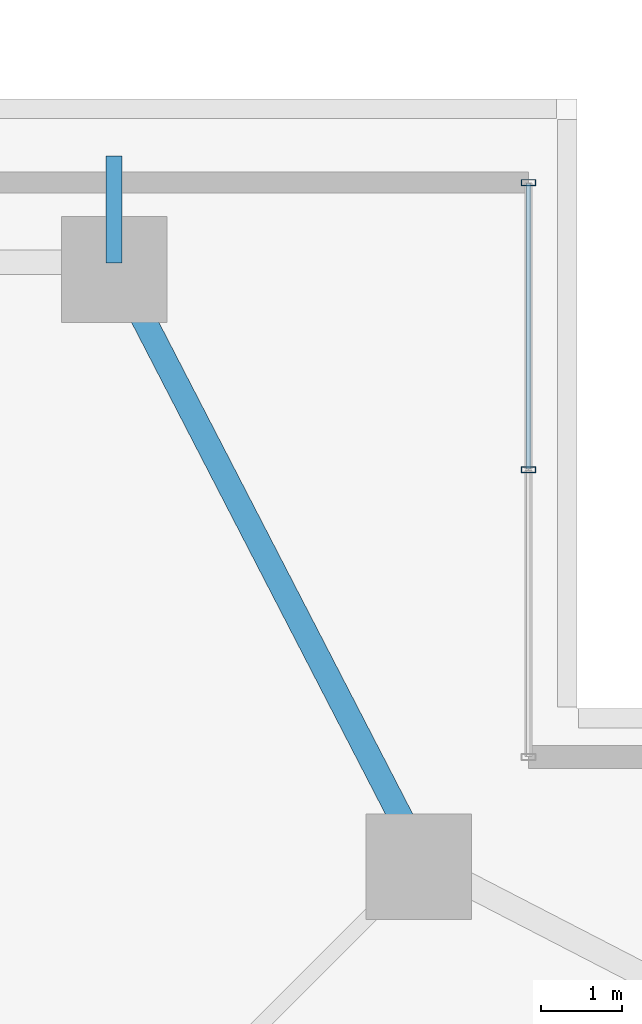
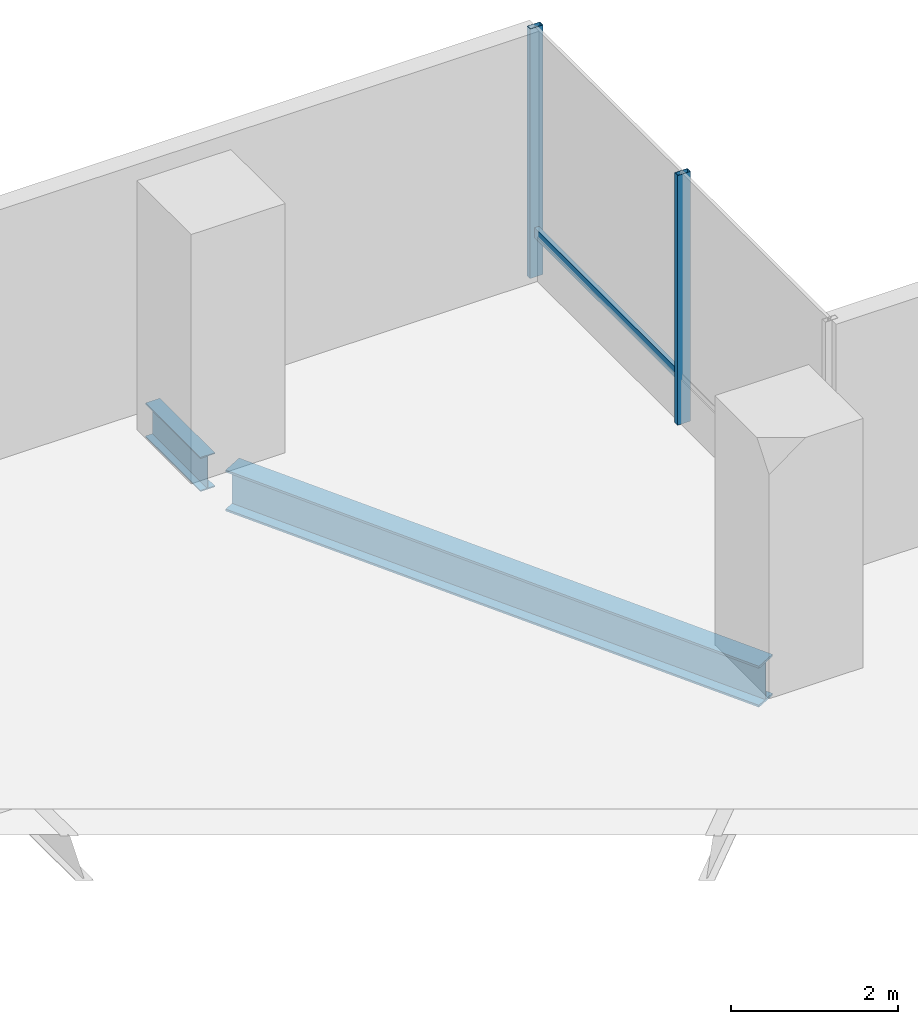
# One storey, part 28 of 34: 3 members, 2 beams, 1 element without a shape of its own.
"""IFC4 building model written with IfcOpenShell, lengths in metres."""

from ifc_helpers import new_model, si_unit, direction, frame, origin, origin_2d, place, context, subcontext, project, spatial, hollow_rectangle, i_section, extrude, material, layer, layer_set, material_profile, profile_set, type_object, element, aggregate, save


model = new_model("IFC4")

# Units and contexts
model_context = context("Model", 3, precision=1e-05, world=origin(), true_north=direction((0.0, 1.0)))
body_context = subcontext(model_context, "Body", "Model", "MODEL_VIEW")
ifc_project = project(units=[si_unit("LENGTHUNIT", "METRE"), si_unit("AREAUNIT", "SQUARE_METRE"), si_unit("VOLUMEUNIT", "CUBIC_METRE"), si_unit("PLANEANGLEUNIT", "RADIAN"), si_unit("MASSUNIT", "GRAM", prefix="KILO")], contexts=[model_context])

# Site, building, storey
site_placement = place(None, origin())
site = spatial("IfcSite", under=ifc_project, at=site_placement, CompositionType="ELEMENT")
building_placement = place(site_placement, origin())
building = spatial("IfcBuilding", under=site, at=building_placement, Name="Belovzor Exchange Tower", CompositionType="ELEMENT")
storey_placement = place(building_placement, frame((0.0, 0.0, 113.39990234375)))
storey = spatial("IfcBuildingStorey", under=building, at=storey_placement, Name="L27", CompositionType="ELEMENT", Elevation=113.39990234375)

# Beam
ifc_material_1 = material(Name="Steel S355", Category="steel")
ifc_material_profile_1 = material_profile(ifc_material_1, i_section(OverallWidth=0.199951171875, OverallDepth=0.5, WebThickness=0.01025390625, FlangeThickness=0.01611328125, at=origin_2d()))
ifc_profile_set_1 = profile_set([ifc_material_profile_1], Name="Steel S355")
beam_type_1 = type_object("IfcBeamType", Name="Planted Balcony Cantilever Beam IPE 500", PredefinedType="BEAM", material=ifc_profile_set_1)
beam_1_placement = place(storey_placement, frame((42.60009765625, 53.782958984375, -0.5), z_axis=(0.0, 1.0, 0.0), x_axis=(-1.0, 0.0, 0.0)))
element("IfcBeam", 1, at=beam_1_placement, inside=storey, type_object=beam_type_1, Name="BC-500 Planted Balcony Cantilever Beam IPE 500", PredefinedType="BEAM", context=body_context, shape_type="SweptSolid", body=[
    extrude(i_section(OverallWidth=0.199951171875, OverallDepth=0.5, WebThickness=0.01025390625, FlangeThickness=0.01611328125, at=origin_2d()), origin(), (0.0, 0.0, 1.0), 1.317138671875),
])

# Curtain wall, members
ifc_material_2 = material(Name="Anodised Aluminium Framing", Category="aluminium")
ifc_layer = layer(ifc_material_2, 0.195068359375)
ifc_layer_set = layer_set([ifc_layer], Name="Anodised Aluminium Framing")
curtain_wall_type = type_object("IfcCurtainWallType", Name="Notched Re-Entrant Corner Unitised Curtain Wall", PredefinedType="NOTDEFINED", material=ifc_layer_set)
curtain_wall_placement = place(storey_placement, origin())
curtain_wall = element("IfcCurtainWall", 2, at=curtain_wall_placement, inside=storey, type_object=curtain_wall_type, Name="CW5 Notched Re-Entrant Corner Unitised Curtain Wall L27", PredefinedType="NOTDEFINED")
ifc_material_3 = material(Name="Steel S355", Category="steel")
ifc_material_profile_2 = material_profile(ifc_material_3, hollow_rectangle(XDim=0.074951171875, YDim=0.179931640625, WallThickness=0.0048828125, at=origin_2d()))
ifc_profile_set_2 = profile_set([ifc_material_profile_2], Name="Steel S355")
member_type_1 = type_object("IfcMemberType", Name="Thermally Broken Curtain Wall Mullion 180x75", PredefinedType="MULLION", material=ifc_profile_set_2)
member_1_placement = place(storey_placement, frame((47.699951171875, 54.77001953125, 0.0), z_axis=(0.0, 0.0, 1.0), x_axis=(0.0, -1.0, 0.0)))
member_1 = element("IfcMember", 3, at=member_1_placement, type_object=member_type_1, Name="CW-M180 Curtain Wall Mullion 1", PredefinedType="MULLION", context=body_context, shape_type="SweptSolid", body=[
    extrude(hollow_rectangle(XDim=0.074951171875, YDim=0.179931640625, WallThickness=0.0048828125, at=origin_2d()), origin(), (0.0, 0.0, 1.0), 3.650146484375),
])
member_2_placement = place(storey_placement, frame((47.699951171875, 51.235107421875, 0.0), z_axis=(0.0, 0.0, 1.0), x_axis=(0.0, -1.0, 0.0)))
member_2 = element("IfcMember", 4, at=member_2_placement, type_object=member_type_1, Name="CW-M180 Curtain Wall Mullion 2", PredefinedType="MULLION", context=body_context, shape_type="SweptSolid", body=[
    extrude(hollow_rectangle(XDim=0.074951171875, YDim=0.179931640625, WallThickness=0.0048828125, at=origin_2d()), origin(), (0.0, 0.0, 1.0), 3.650146484375),
])
ifc_material_4 = material(Name="Steel S355", Category="steel")
ifc_material_profile_3 = material_profile(ifc_material_4, hollow_rectangle(XDim=0.06005859375, YDim=0.14990234375, WallThickness=0.00390625, at=origin_2d()))
ifc_profile_set_3 = profile_set([ifc_material_profile_3], Name="Steel S355")
member_type_2 = type_object("IfcMemberType", Name="Thermally Broken Curtain Wall Transom 150x60", PredefinedType="USERDEFINED", material=ifc_profile_set_3)
member_3_placement = place(storey_placement, frame((47.699951171875, 54.761962890625, 0.650146484375), z_axis=(0.0, -1.0, 0.0), x_axis=(1.0, 0.0, 0.0)))
member_3 = element("IfcMember", 5, at=member_3_placement, type_object=member_type_2, Name="CW-T150 Curtain Wall Transom 1", ObjectType="TRANSOM", PredefinedType="USERDEFINED", context=body_context, shape_type="SweptSolid", body=[
    extrude(hollow_rectangle(XDim=0.06005859375, YDim=0.14990234375, WallThickness=0.00390625, at=origin_2d()), origin(), (0.0, 0.0, 1.0), 3.51904296875),
])
aggregate(curtain_wall, [member_1, member_2, member_3])

# Beam
ifc_material_5 = material(Name="Steel S355", Category="steel")
ifc_material_profile_4 = material_profile(ifc_material_5, i_section(OverallWidth=0.300048828125, OverallDepth=0.60009765625, WebThickness=0.015380859375, FlangeThickness=0.030029296875, at=origin_2d()))
ifc_profile_set_4 = profile_set([ifc_material_profile_4], Name="Steel S355")
beam_type_2 = type_object("IfcBeamType", Name="Zone 2 Primary Perimeter Girder HEB 600", PredefinedType="BEAM", material=ifc_profile_set_4)
beam_2_placement = place(storey_placement, frame((46.2470703125, 46.72900390625, -0.5498046875), z_axis=(-0.458830506694, 0.888523812921, 0.0), x_axis=(-0.888523812921, -0.458830506694, 0.0)))
element("IfcBeam", 6, at=beam_2_placement, inside=storey, type_object=beam_type_2, Name="FG-Z2 Zone 2 Primary Perimeter Girder HEB 600", PredefinedType="BEAM", context=body_context, shape_type="SweptSolid", body=[
    extrude(i_section(OverallWidth=0.300048828125, OverallDepth=0.60009765625, WebThickness=0.015380859375, FlangeThickness=0.030029296875, at=origin_2d()), origin(), (0.0, 0.0, 1.0), 7.59130859375),
])

save(model, "model.ifc")
